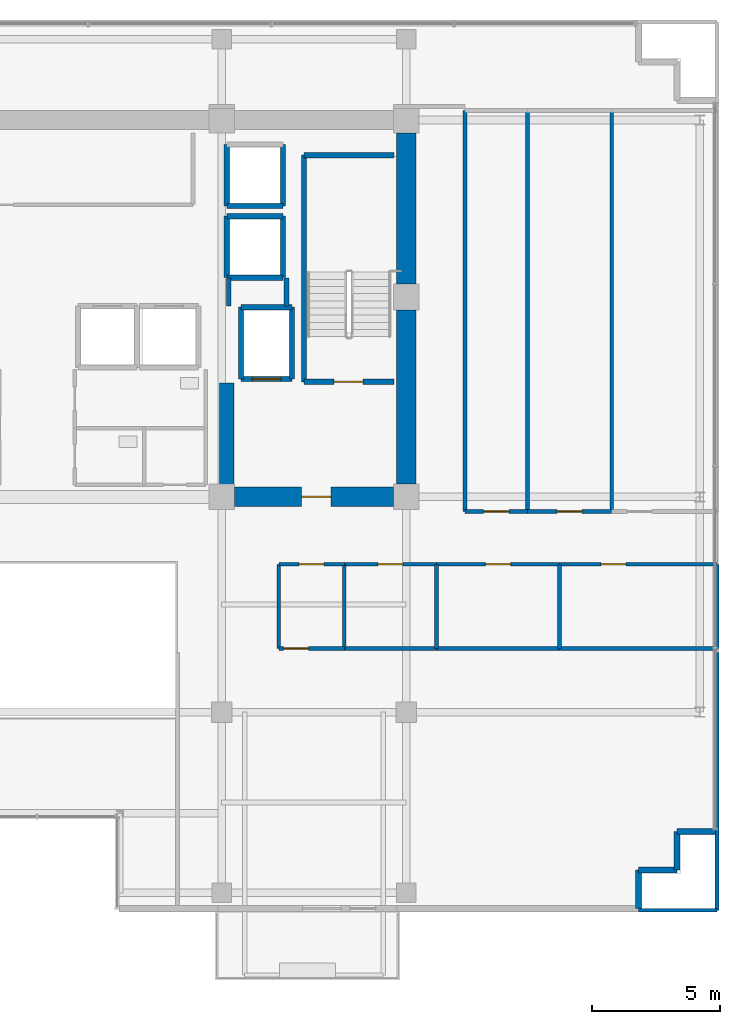
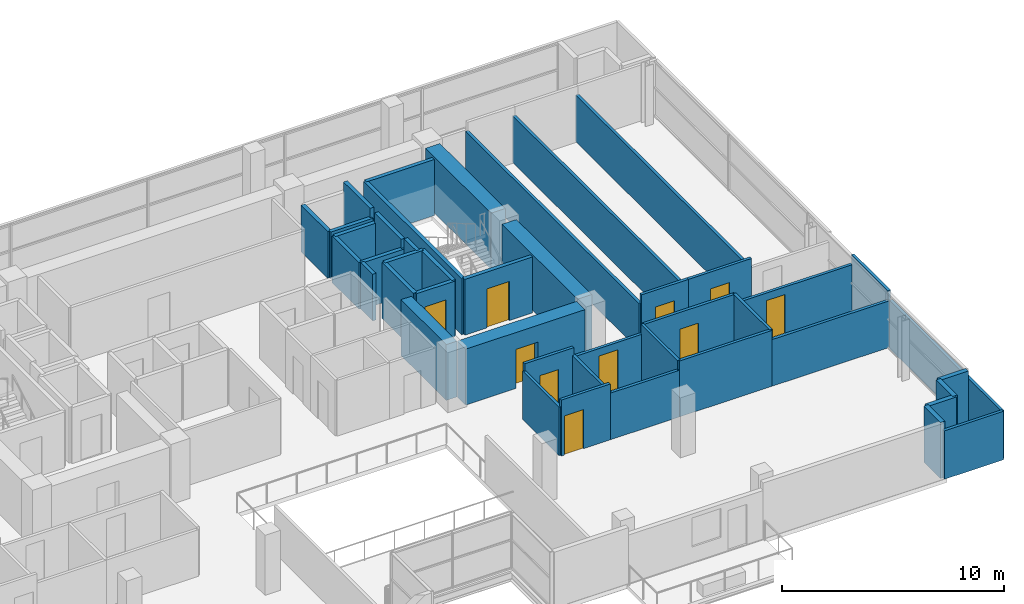
# One storey, part 17 of 21: 44 walls, 10 doors, 10 openings.
"""IFC4 building model written with IfcOpenShell, lengths in metres."""

from ifc_helpers import new_model, si_unit, direction, frame, frame_2d, origin, place, context, subcontext, project, spatial, rectangle, extrude, source, transform, mapped, material, layer, layer_set, type_object, element, fill, save


model = new_model("IFC4")

# Units and contexts
model_context = context("Model", 3, precision=1e-05, world=origin(), true_north=direction((0.0, 1.0)))
body_context = subcontext(model_context, "Body", "Model", "MODEL_VIEW")
ifc_project = project(units=[si_unit("LENGTHUNIT", "METRE"), si_unit("AREAUNIT", "SQUARE_METRE"), si_unit("VOLUMEUNIT", "CUBIC_METRE"), si_unit("PLANEANGLEUNIT", "RADIAN"), si_unit("MASSUNIT", "GRAM", prefix="KILO")], contexts=[model_context])

# Site, building, storey
site_placement = place(None, origin())
site = spatial("IfcSite", under=ifc_project, at=site_placement, CompositionType="ELEMENT")
building_placement = place(site_placement, origin())
building = spatial("IfcBuilding", under=site, at=building_placement, Name="Zarnakvel Exchange Tower", CompositionType="ELEMENT")
storey_placement = place(building_placement, frame((0.0, 0.0, 185.800048828125)))
storey = spatial("IfcBuildingStorey", under=building, at=storey_placement, Name="L52", CompositionType="ELEMENT", Elevation=185.800048828125)

# Walls
ifc_material_1 = material(Name="Concrete C60/75", Category="concrete")
ifc_layer_1 = layer(ifc_material_1, 0.75)
ifc_layer_set_1 = layer_set([ifc_layer_1], Name="Concrete C60/75")
wall_type_1 = type_object("IfcWallType", Name="CW-C3", PredefinedType="SHEAR", material=ifc_layer_set_1)
wall_1_placement = place(storey_placement, frame((14.39990234375, -0.699951171875, 0.0), z_axis=(0.0, 0.0, 1.0), x_axis=(0.0, 1.0, 0.0)))
element("IfcWall", 1, at=wall_1_placement, inside=storey, type_object=wall_type_1, Name="L52 Rear Core Shear Wall E1 (CW-C3)", PredefinedType="SHEAR", context=body_context, shape_type="SweptSolid", body=[
    extrude(rectangle(XDim=6.800048828125, YDim=0.75, at=frame_2d((3.39990234375, 0.0))), origin(), (0.0, 0.0, 1.0), 3.074951171875),
])
wall_2_placement = place(storey_placement, frame((14.39990234375, 7.10009765625, 0.0), z_axis=(0.0, 0.0, 1.0), x_axis=(0.0, 1.0, 0.0)))
element("IfcWall", 2, at=wall_2_placement, inside=storey, type_object=wall_type_1, Name="L52 Rear Core Shear Wall E2 (CW-C3)", PredefinedType="SHEAR", context=body_context, shape_type="SweptSolid", body=[
    extrude(rectangle(XDim=5.89990234375, YDim=0.75, at=frame_2d((2.949951171875, 0.0))), origin(), (0.0, 0.0, 1.0), 3.074951171875),
])

# Wall, opening, door
wall_3_placement = place(storey_placement, frame((13.89990234375, -1.199951171875, 0.0), z_axis=(0.0, 0.0, 1.0), x_axis=(-1.0, 0.0, 0.0)))
wall_3 = element("IfcWall", 3, at=wall_3_placement, inside=storey, type_object=wall_type_1, Name="L52 Rear Core Shear Wall SE (CW-C3)", PredefinedType="SHEAR", context=body_context, shape_type="SweptSolid", body=[
    extrude(rectangle(XDim=6.199951171875, YDim=0.75, at=frame_2d((3.10009765625, 0.0))), origin(), (0.0, 0.0, 1.0), 3.074951171875),
])
opening_1_placement = place(wall_3_placement, frame((2.425048828125, 0.0, 0.0)))
opening_1 = element("IfcOpeningElement", 4, at=opening_1_placement, cuts=wall_3, Name="Opening D-L52-04", PredefinedType="OPENING", context=body_context, shape_type="SweptSolid", body=[
    extrude(rectangle(XDim=1.14990234375, YDim=2.14990234375, at=frame_2d((0.574951171875, 1.074951171875))), frame((0.0, 0.385009765625, 0.0), z_axis=(0.0, -1.0, 0.0), x_axis=(1.0, 0.0, 0.0)), (0.0, 0.0, 1.0), 0.77001953125),
])
ifc_material_2 = material(Name="Painted Galvanised Steel S355", Category="steel")
door_type_1 = type_object("IfcDoorType", Name="DT-04", OperationType="NOTDEFINED", PredefinedType="DOOR", material=ifc_material_2)
shared_shape_1 = source(origin(), body_context, "Body", "SweptSolid", [
    extrude(rectangle(XDim=1.14990234375, YDim=2.14990234375, at=frame_2d((0.574951171875, 1.074951171875))), frame((0.0, 0.02490234375, 0.0), z_axis=(0.0, -1.0, 0.0), x_axis=(1.0, 0.0, 0.0)), (0.0, 0.0, 1.0), 0.050048828125),
])
door_1_placement = place(opening_1_placement, origin())
door_1 = element("IfcDoor", 5, at=door_1_placement, inside=storey, type_object=door_type_1, Name="L52 Firefighting Lobby East Door D-L52-04", OperationType="SINGLE_SWING_LEFT", OverallHeight=2.14990234375, OverallWidth=1.14990234375, PredefinedType="DOOR", context=body_context, shape_type="MappedRepresentation", body=[
    mapped(shared_shape_1, transform((0.0, 0.0, 0.0), x_axis=(1.0, 0.0, 0.0), y_axis=(0.0, 1.0, 0.0), z_axis=(0.0, 0.0, 1.0), scale=1.0)),
])
fill(opening_1, door_1)

# Walls
ifc_layer_2 = layer(ifc_material_1, 0.550048828125)
ifc_layer_set_2 = layer_set([ifc_layer_2], Name="Concrete C60/75")
wall_type_2 = type_object("IfcWallType", Name="CW-C4", PredefinedType="SHEAR", material=ifc_layer_set_2)
wall_4_placement = place(storey_placement, frame((7.39990234375, -0.824951171875, 0.0), z_axis=(0.0, 0.0, 1.0), x_axis=(0.0, 1.0, 0.0)))
element("IfcWall", 6, at=wall_4_placement, inside=storey, type_object=wall_type_2, Name="L52 Rear Core Shear Wall IE (CW-C4)", PredefinedType="SHEAR", context=body_context, shape_type="SweptSolid", body=[
    extrude(rectangle(XDim=4.074951171875, YDim=0.550048828125, at=frame_2d((2.03759765625, 0.0))), origin(), (0.0, 0.0, 1.0), 3.074951171875),
])
ifc_material_3 = material(Name="Precast concrete C40/50", Category="concrete")
ifc_layer_3 = layer(ifc_material_3, 0.239990234375)
ifc_layer_set_3 = layer_set([ifc_layer_3], Name="Precast concrete C40/50")
wall_type_3 = type_object("IfcWallType", Name="EW-02", PredefinedType="SOLIDWALL", material=ifc_layer_set_3)
for number, where, z_axis, x_axis, name in (
    (7, (24.9599609375, -14.260009765625, 0.0), (0.0, 0.0, 1.0), (1.0, 0.0, 0.0), "L52 Exterior Precast Spandrel Wall EWC-L52-11 (EW-02)"),
    (8, (24.9599609375, -15.760009765625, 0.0), (0.0, 0.0, 1.0), (0.0, 1.0, 0.0), "L52 Exterior Precast Spandrel Wall EWC-L52-12 (EW-02)"),
    (9, (23.4599609375, -15.760009765625, 0.0), (0.0, 0.0, 1.0), (1.0, 0.0, 0.0), "L52 Exterior Precast Spandrel Wall EWC-L52-13 (EW-02)"),
    (10, (23.4599609375, -17.260009765625, 0.0), (0.0, 0.0, 1.0), (0.0, 1.0, 0.0), "L52 Exterior Precast Spandrel Wall EWC-L52-14 (EW-02)"),
):
    element("IfcWall", number, at=place(storey_placement, frame(where, z_axis=z_axis, x_axis=x_axis)), inside=storey, type_object=wall_type_3, Name=name, PredefinedType="SOLIDWALL", context=body_context, shape_type="SweptSolid", body=[
        extrude(rectangle(XDim=1.5, YDim=0.239990234375, at=frame_2d((0.75, 0.0))), origin(), (0.0, 0.0, 1.0), 3.074951171875),
    ])

# Wall, opening, door
ifc_material_4 = material(Name="Fire-Rated Gypsum Stud Partition", Category="gypsum")
ifc_layer_4 = layer(ifc_material_4, 0.14990234375)
ifc_layer_set_4 = layer_set([ifc_layer_4], Name="Fire-Rated Gypsum Stud Partition")
wall_type_4 = type_object("IfcWallType", Name="PT-01", PredefinedType="PARTITIONING", material=ifc_layer_set_4)
wall_5_placement = place(storey_placement, frame((11.984130859375, -7.1201171875, 0.0), z_axis=(0.0, 0.0, 1.0), x_axis=(-1.0, 0.0, 0.0)))
wall_5 = element("IfcWall", 11, at=wall_5_placement, inside=storey, type_object=wall_type_4, Name="L52 Partition Wall PWALL-L52-038 (PT-01)", PredefinedType="PARTITIONING", context=body_context, shape_type="SweptSolid", body=[
    extrude(rectangle(XDim=2.55419921875, YDim=0.14990234375, at=frame_2d((1.277099609375, 0.0))), origin(), (0.0, 0.0, 1.0), 3.074951171875),
])
opening_2_placement = place(wall_5_placement, frame((1.394287109375, 0.0, 0.0)))
opening_2 = element("IfcOpeningElement", 12, at=opening_2_placement, cuts=wall_5, Name="Opening D-L52-18", PredefinedType="OPENING", context=body_context, shape_type="SweptSolid", body=[
    extrude(rectangle(XDim=0.97998046875, YDim=2.14990234375, at=frame_2d((0.489990234375, 1.074951171875))), frame((0.0, 0.0849609375, 0.0), z_axis=(0.0, -1.0, 0.0), x_axis=(1.0, 0.0, 0.0)), (0.0, 0.0, 1.0), 0.169921875),
])
ifc_material_5 = material(Name="Timber Acoustic Veneer", Category="wood")
door_type_2 = type_object("IfcDoorType", Name="DT-05", OperationType="NOTDEFINED", PredefinedType="DOOR", material=ifc_material_5)
shared_shape_2 = source(origin(), body_context, "Body", "SweptSolid", [
    extrude(rectangle(XDim=0.97998046875, YDim=2.14990234375, at=frame_2d((0.489990234375, 1.074951171875))), frame((0.0, 0.02490234375, 0.0), z_axis=(0.0, -1.0, 0.0), x_axis=(1.0, 0.0, 0.0)), (0.0, 0.0, 1.0), 0.050048828125),
])
door_2_placement = place(opening_2_placement, origin())
door_2 = element("IfcDoor", 13, at=door_2_placement, inside=storey, type_object=door_type_2, Name="L52 Asset Management Office Door D-L52-18", OperationType="SINGLE_SWING_LEFT", OverallHeight=2.14990234375, OverallWidth=0.97998046875, PredefinedType="DOOR", context=body_context, shape_type="MappedRepresentation", body=[
    mapped(shared_shape_2, transform((0.0, 0.0, 0.0), x_axis=(1.0, 0.0, 0.0), y_axis=(0.0, 1.0, 0.0), z_axis=(0.0, 0.0, 1.0), scale=1.0)),
])
fill(opening_2, door_2)

wall_6_placement = place(storey_placement, frame((9.429931640625, -3.830078125, 0.0), z_axis=(0.0, 0.0, 1.0), x_axis=(1.0, 0.0, 0.0)))
wall_6 = element("IfcWall", 14, at=wall_6_placement, inside=storey, type_object=wall_type_4, Name="L52 Partition Wall PWALL-L52-039 (PT-01)", PredefinedType="PARTITIONING", context=body_context, shape_type="SweptSolid", body=[
    extrude(rectangle(XDim=2.55419921875, YDim=0.14990234375, at=frame_2d((1.277099609375, 0.0))), origin(), (0.0, 0.0, 1.0), 3.074951171875),
])
opening_3_placement = place(wall_6_placement, frame((0.787109375, 0.0, 0.0)))
opening_3 = element("IfcOpeningElement", 15, at=opening_3_placement, cuts=wall_6, Name="Opening D-L52-14", PredefinedType="OPENING", context=body_context, shape_type="SweptSolid", body=[
    extrude(rectangle(XDim=0.97998046875, YDim=2.14990234375, at=frame_2d((0.489990234375, 1.074951171875))), frame((0.0, 0.0849609375, 0.0), z_axis=(0.0, -1.0, 0.0), x_axis=(1.0, 0.0, 0.0)), (0.0, 0.0, 1.0), 0.169921875),
])
door_3_placement = place(opening_3_placement, origin())
door_3 = element("IfcDoor", 16, at=door_3_placement, inside=storey, type_object=door_type_2, Name="L52 Meeting Room Door D-L52-14", OperationType="SINGLE_SWING_LEFT", OverallHeight=2.14990234375, OverallWidth=0.97998046875, PredefinedType="DOOR", context=body_context, shape_type="MappedRepresentation", body=[
    mapped(shared_shape_2, transform((0.0, 0.0, 0.0), x_axis=(1.0, 0.0, 0.0), y_axis=(0.0, 1.0, 0.0), z_axis=(0.0, 0.0, 1.0), scale=1.0)),
])
fill(opening_3, door_3)

# Walls
for number, where, z_axis, x_axis, name in (
    (17, (9.429931640625, -7.1201171875, 0.0), (0.0, 0.0, 1.0), (0.0, 1.0, 0.0), "L52 Partition Wall PWALL-L52-040 (PT-01)"),
    (18, (11.984130859375, -3.830078125, 0.0), (0.0, 0.0, 1.0), (0.0, -1.0, 0.0), "L52 Partition Wall PWALL-L52-041 (PT-01)"),
):
    element("IfcWall", number, at=place(storey_placement, frame(where, z_axis=z_axis, x_axis=x_axis)), inside=storey, type_object=wall_type_4, Name=name, PredefinedType="PARTITIONING", context=body_context, shape_type="SweptSolid", body=[
        extrude(rectangle(XDim=3.2900390625, YDim=0.14990234375, at=frame_2d((1.64501953125, 0.0))), origin(), (0.0, 0.0, 1.0), 2.6650390625),
    ])
wall_7_placement = place(storey_placement, frame((15.585693359375, -7.1201171875, 0.0), z_axis=(0.0, 0.0, 1.0), x_axis=(-1.0, 0.0, 0.0)))
element("IfcWall", 19, at=wall_7_placement, inside=storey, type_object=wall_type_4, Name="L52 Partition Wall PWALL-L52-042 (PT-01)", PredefinedType="PARTITIONING", context=body_context, shape_type="SweptSolid", body=[
    extrude(rectangle(XDim=3.6015625, YDim=0.14990234375, at=frame_2d((1.80078125, 0.0))), origin(), (0.0, 0.0, 1.0), 2.56494140625),
])

# Wall, opening, door
wall_8_placement = place(storey_placement, frame((11.984130859375, -3.830078125, 0.0), z_axis=(0.0, 0.0, 1.0), x_axis=(1.0, 0.0, 0.0)))
wall_8 = element("IfcWall", 20, at=wall_8_placement, inside=storey, type_object=wall_type_4, Name="L52 Partition Wall PWALL-L52-043 (PT-01)", PredefinedType="PARTITIONING", context=body_context, shape_type="SweptSolid", body=[
    extrude(rectangle(XDim=3.6015625, YDim=0.14990234375, at=frame_2d((1.80078125, 0.0))), origin(), (0.0, 0.0, 1.0), 2.56494140625),
])
opening_4_placement = place(wall_8_placement, frame((1.310791015625, 0.0, 0.0)))
opening_4 = element("IfcOpeningElement", 21, at=opening_4_placement, cuts=wall_8, Name="Opening D-L52-15", PredefinedType="OPENING", context=body_context, shape_type="SweptSolid", body=[
    extrude(rectangle(XDim=0.97998046875, YDim=2.14990234375, at=frame_2d((0.489990234375, 1.074951171875))), frame((0.0, 0.0849609375, 0.0), z_axis=(0.0, -1.0, 0.0), x_axis=(1.0, 0.0, 0.0)), (0.0, 0.0, 1.0), 0.169921875),
])
door_4_placement = place(opening_4_placement, origin())
door_4 = element("IfcDoor", 22, at=door_4_placement, inside=storey, type_object=door_type_2, Name="L52 Executive Office Door D-L52-15", OperationType="SINGLE_SWING_RIGHT", OverallHeight=2.14990234375, OverallWidth=0.97998046875, PredefinedType="DOOR", context=body_context, shape_type="MappedRepresentation", body=[
    mapped(shared_shape_2, transform((0.0, 0.0, 0.0), x_axis=(1.0, 0.0, 0.0), y_axis=(0.0, 1.0, 0.0), z_axis=(0.0, 0.0, 1.0), scale=1.0)),
])
fill(opening_4, door_4)

# Walls
wall_9_placement = place(storey_placement, frame((15.585693359375, -3.830078125, 0.0), z_axis=(0.0, 0.0, 1.0), x_axis=(0.0, -1.0, 0.0)))
element("IfcWall", 23, at=wall_9_placement, inside=storey, type_object=wall_type_4, Name="L52 Partition Wall PWALL-L52-044 (PT-01)", PredefinedType="PARTITIONING", context=body_context, shape_type="SweptSolid", body=[
    extrude(rectangle(XDim=3.2900390625, YDim=0.14990234375, at=frame_2d((1.64501953125, 0.0))), origin(), (0.0, 0.0, 1.0), 3.074951171875),
])
wall_10_placement = place(storey_placement, frame((20.384521484375, -7.1201171875, 0.0), z_axis=(0.0, 0.0, 1.0), x_axis=(-1.0, 0.0, 0.0)))
element("IfcWall", 24, at=wall_10_placement, inside=storey, type_object=wall_type_4, Name="L52 Partition Wall PWALL-L52-045 (PT-01)", PredefinedType="PARTITIONING", context=body_context, shape_type="SweptSolid", body=[
    extrude(rectangle(XDim=4.798828125, YDim=0.14990234375, at=frame_2d((2.3994140625, 0.0))), origin(), (0.0, 0.0, 1.0), 3.074951171875),
])

# Wall, opening, door
wall_11_placement = place(storey_placement, frame((15.585693359375, -3.830078125, 0.0), z_axis=(0.0, 0.0, 1.0), x_axis=(1.0, 0.0, 0.0)))
wall_11 = element("IfcWall", 25, at=wall_11_placement, inside=storey, type_object=wall_type_4, Name="L52 Partition Wall PWALL-L52-046 (PT-01)", PredefinedType="PARTITIONING", context=body_context, shape_type="SweptSolid", body=[
    extrude(rectangle(XDim=4.798828125, YDim=0.14990234375, at=frame_2d((2.3994140625, 0.0))), origin(), (0.0, 0.0, 1.0), 3.074951171875),
])
opening_5_placement = place(wall_11_placement, frame((1.9091796875, 0.0, 0.0)))
opening_5 = element("IfcOpeningElement", 26, at=opening_5_placement, cuts=wall_11, Name="Opening D-L52-16", PredefinedType="OPENING", context=body_context, shape_type="SweptSolid", body=[
    extrude(rectangle(XDim=0.97998046875, YDim=2.14990234375, at=frame_2d((0.489990234375, 1.074951171875))), frame((0.0, 0.0849609375, 0.0), z_axis=(0.0, -1.0, 0.0), x_axis=(1.0, 0.0, 0.0)), (0.0, 0.0, 1.0), 0.169921875),
])
door_5_placement = place(opening_5_placement, origin())
door_5 = element("IfcDoor", 27, at=door_5_placement, inside=storey, type_object=door_type_2, Name="L52 Staff Pantry Door D-L52-16", OperationType="SINGLE_SWING_LEFT", OverallHeight=2.14990234375, OverallWidth=0.97998046875, PredefinedType="DOOR", context=body_context, shape_type="MappedRepresentation", body=[
    mapped(shared_shape_2, transform((0.0, 0.0, 0.0), x_axis=(1.0, 0.0, 0.0), y_axis=(0.0, 1.0, 0.0), z_axis=(0.0, 0.0, 1.0), scale=1.0)),
])
fill(opening_5, door_5)

# Walls
wall_12_placement = place(storey_placement, frame((20.384521484375, -3.830078125, 0.0), z_axis=(0.0, 0.0, 1.0), x_axis=(0.0, -1.0, 0.0)))
element("IfcWall", 28, at=wall_12_placement, inside=storey, type_object=wall_type_4, Name="L52 Partition Wall PWALL-L52-047 (PT-01)", PredefinedType="PARTITIONING", context=body_context, shape_type="SweptSolid", body=[
    extrude(rectangle(XDim=3.2900390625, YDim=0.14990234375, at=frame_2d((1.64501953125, 0.0))), origin(), (0.0, 0.0, 1.0), 3.074951171875),
])
wall_13_placement = place(storey_placement, frame((26.530029296875, -7.1201171875, 0.0), z_axis=(0.0, 0.0, 1.0), x_axis=(-1.0, 0.0, 0.0)))
element("IfcWall", 29, at=wall_13_placement, inside=storey, type_object=wall_type_4, Name="L52 Partition Wall PWALL-L52-048 (PT-01)", PredefinedType="PARTITIONING", context=body_context, shape_type="SweptSolid", body=[
    extrude(rectangle(XDim=6.1455078125, YDim=0.14990234375, at=frame_2d((3.07275390625, 0.0))), origin(), (0.0, 0.0, 1.0), 2.56494140625),
])

# Wall, opening, door
wall_14_placement = place(storey_placement, frame((20.384521484375, -3.830078125, 0.0), z_axis=(0.0, 0.0, 1.0), x_axis=(1.0, 0.0, 0.0)))
wall_14 = element("IfcWall", 30, at=wall_14_placement, inside=storey, type_object=wall_type_4, Name="L52 Partition Wall PWALL-L52-049 (PT-01)", PredefinedType="PARTITIONING", context=body_context, shape_type="SweptSolid", body=[
    extrude(rectangle(XDim=6.1455078125, YDim=0.14990234375, at=frame_2d((3.07275390625, 0.0))), origin(), (0.0, 0.0, 1.0), 2.56494140625),
])
opening_6_placement = place(wall_14_placement, frame((1.607421875, 0.0, 0.0)))
opening_6 = element("IfcOpeningElement", 31, at=opening_6_placement, cuts=wall_14, Name="Opening D-L52-17", PredefinedType="OPENING", context=body_context, shape_type="SweptSolid", body=[
    extrude(rectangle(XDim=0.97998046875, YDim=2.14990234375, at=frame_2d((0.489990234375, 1.074951171875))), frame((0.0, 0.0849609375, 0.0), z_axis=(0.0, -1.0, 0.0), x_axis=(1.0, 0.0, 0.0)), (0.0, 0.0, 1.0), 0.169921875),
])
door_6_placement = place(opening_6_placement, origin())
door_6 = element("IfcDoor", 32, at=door_6_placement, inside=storey, type_object=door_type_2, Name="L52 Risk Analytics Suite Door D-L52-17", OperationType="SINGLE_SWING_RIGHT", OverallHeight=2.14990234375, OverallWidth=0.97998046875, PredefinedType="DOOR", context=body_context, shape_type="MappedRepresentation", body=[
    mapped(shared_shape_2, transform((0.0, 0.0, 0.0), x_axis=(1.0, 0.0, 0.0), y_axis=(0.0, 1.0, 0.0), z_axis=(0.0, 0.0, 1.0), scale=1.0)),
])
fill(opening_6, door_6)

# Walls
wall_15_placement = place(storey_placement, frame((26.530029296875, -3.830078125, 0.0), z_axis=(0.0, 0.0, 1.0), x_axis=(0.0, -1.0, 0.0)))
element("IfcWall", 33, at=wall_15_placement, inside=storey, type_object=wall_type_4, Name="L52 Partition Wall PWALL-L52-050 (PT-01)", PredefinedType="PARTITIONING", context=body_context, shape_type="SweptSolid", body=[
    extrude(rectangle(XDim=3.2900390625, YDim=0.14990234375, at=frame_2d((1.64501953125, 0.0))), origin(), (0.0, 0.0, 1.0), 3.074951171875),
])
wall_16_placement = place(storey_placement, frame((26.530029296875, -17.330078125, 0.0), z_axis=(0.0, 0.0, 1.0), x_axis=(-1.0, 0.0, 0.0)))
element("IfcWall", 34, at=wall_16_placement, inside=storey, type_object=wall_type_4, Name="L52 Partition Wall PWALL-L52-051 (PT-01)", PredefinedType="PARTITIONING", context=body_context, shape_type="SweptSolid", body=[
    extrude(rectangle(XDim=3.070068359375, YDim=0.14990234375, at=frame_2d((1.53515625, 0.0))), origin(), (0.0, 0.0, 1.0), 2.6650390625),
])
wall_17_placement = place(storey_placement, frame((26.530029296875, -7.280029296875, 0.0), z_axis=(0.0, 0.0, 1.0), x_axis=(0.0, -1.0, 0.0)))
element("IfcWall", 35, at=wall_17_placement, inside=storey, type_object=wall_type_4, Name="L52 Partition Wall PWALL-L52-053 (PT-01)", PredefinedType="PARTITIONING", context=body_context, shape_type="SweptSolid", body=[
    extrude(rectangle(XDim=10.050048828125, YDim=0.14990234375, at=frame_2d((5.02490234375, 0.0))), origin(), (0.0, 0.0, 1.0), 2.6650390625),
])

# Wall, opening, door
wall_18_placement = place(storey_placement, frame((19.137939453125, -1.77001953125, 0.0), z_axis=(0.0, 0.0, 1.0), x_axis=(-1.0, 0.0, 0.0)))
wall_18 = element("IfcWall", 36, at=wall_18_placement, inside=storey, type_object=wall_type_4, Name="L52 Partition Wall PWALL-L52-058 (PT-01)", PredefinedType="PARTITIONING", context=body_context, shape_type="SweptSolid", body=[
    extrude(rectangle(XDim=2.447998046875, YDim=0.14990234375, at=frame_2d((1.22412109375, 0.0))), origin(), (0.0, 0.0, 1.0), 3.074951171875),
])
opening_7_placement = place(wall_18_placement, frame((0.73388671875, 0.0, 0.0)))
opening_7 = element("IfcOpeningElement", 37, at=opening_7_placement, cuts=wall_18, Name="Opening D-L52-20", PredefinedType="OPENING", context=body_context, shape_type="SweptSolid", body=[
    extrude(rectangle(XDim=0.97998046875, YDim=2.14990234375, at=frame_2d((0.489990234375, 1.074951171875))), frame((0.0, 0.0849609375, 0.0), z_axis=(0.0, -1.0, 0.0), x_axis=(1.0, 0.0, 0.0)), (0.0, 0.0, 1.0), 0.169921875),
])
door_7_placement = place(opening_7_placement, origin())
door_7 = element("IfcDoor", 38, at=door_7_placement, inside=storey, type_object=door_type_2, Name="L52 Risk Analytics Suite Door D-L52-20", OperationType="SINGLE_SWING_LEFT", OverallHeight=2.14990234375, OverallWidth=0.97998046875, PredefinedType="DOOR", context=body_context, shape_type="MappedRepresentation", body=[
    mapped(shared_shape_2, transform((0.0, 0.0, 0.0), x_axis=(1.0, 0.0, 0.0), y_axis=(0.0, 1.0, 0.0), z_axis=(0.0, 0.0, 1.0), scale=1.0)),
])
fill(opening_7, door_7)

# Walls
for number, where, z_axis, x_axis, name in (
    (39, (16.68994140625, -1.77001953125, 0.0), (0.0, 0.0, 1.0), (0.0, 1.0, 0.0), "L52 Partition Wall PWALL-L52-060 (PT-01)"),
    (40, (19.137939453125, 13.8798828125, 0.0), (0.0, 0.0, 1.0), (0.0, -1.0, 0.0), "L52 Partition Wall PWALL-L52-061 (PT-01)"),
):
    element("IfcWall", number, at=place(storey_placement, frame(where, z_axis=z_axis, x_axis=x_axis)), inside=storey, type_object=wall_type_4, Name=name, PredefinedType="PARTITIONING", context=body_context, shape_type="SweptSolid", body=[
        extrude(rectangle(XDim=15.64990234375, YDim=0.14990234375, at=frame_2d((7.824951171875, 0.0))), origin(), (0.0, 0.0, 1.0), 2.56494140625),
    ])

# Wall, opening, door
wall_19_placement = place(storey_placement, frame((22.41796875, -1.77001953125, 0.0), z_axis=(0.0, 0.0, 1.0), x_axis=(-1.0, 0.0, 0.0)))
wall_19 = element("IfcWall", 41, at=wall_19_placement, inside=storey, type_object=wall_type_4, Name="L52 Partition Wall PWALL-L52-062 (PT-01)", PredefinedType="PARTITIONING", context=body_context, shape_type="SweptSolid", body=[
    extrude(rectangle(XDim=3.280029296875, YDim=0.14990234375, at=frame_2d((1.64013671875, 0.0))), origin(), (0.0, 0.0, 1.0), 3.074951171875),
])
opening_8_placement = place(wall_19_placement, frame((1.14990234375, 0.0, 0.0)))
opening_8 = element("IfcOpeningElement", 42, at=opening_8_placement, cuts=wall_19, Name="Opening D-L52-21", PredefinedType="OPENING", context=body_context, shape_type="SweptSolid", body=[
    extrude(rectangle(XDim=0.97998046875, YDim=2.14990234375, at=frame_2d((0.489990234375, 1.074951171875))), frame((0.0, 0.0849609375, 0.0), z_axis=(0.0, -1.0, 0.0), x_axis=(1.0, 0.0, 0.0)), (0.0, 0.0, 1.0), 0.169921875),
])
door_8_placement = place(opening_8_placement, origin())
door_8 = element("IfcDoor", 43, at=door_8_placement, inside=storey, type_object=door_type_2, Name="L52 Members Lounge Door D-L52-21", OperationType="SINGLE_SWING_RIGHT", OverallHeight=2.14990234375, OverallWidth=0.97998046875, PredefinedType="DOOR", context=body_context, shape_type="MappedRepresentation", body=[
    mapped(shared_shape_2, transform((0.0, 0.0, 0.0), x_axis=(1.0, 0.0, 0.0), y_axis=(0.0, 1.0, 0.0), z_axis=(0.0, 0.0, 1.0), scale=1.0)),
])
fill(opening_8, door_8)

# Walls
wall_20_placement = place(storey_placement, frame((22.41796875, 13.8798828125, 0.0), z_axis=(0.0, 0.0, 1.0), x_axis=(0.0, -1.0, 0.0)))
element("IfcWall", 44, at=wall_20_placement, inside=storey, type_object=wall_type_4, Name="L52 Partition Wall PWALL-L52-064 (PT-01)", PredefinedType="PARTITIONING", context=body_context, shape_type="SweptSolid", body=[
    extrude(rectangle(XDim=15.64990234375, YDim=0.14990234375, at=frame_2d((7.824951171875, 0.0))), origin(), (0.0, 0.0, 1.0), 2.56494140625),
])
ifc_layer_5 = layer(ifc_material_4, 0.179931640625)
ifc_layer_set_5 = layer_set([ifc_layer_5], Name="Fire-Rated Gypsum Stud Partition")
wall_type_5 = type_object("IfcWallType", Name="PT-02", PredefinedType="PARTITIONING", material=ifc_layer_set_5)
wall_21_placement = place(storey_placement, frame((7.469970703125, 6.239990234375, 0.0), z_axis=(0.0, 0.0, 1.0), x_axis=(0.0, 1.0, 0.0)))
element("IfcWall", 45, at=wall_21_placement, inside=storey, type_object=wall_type_5, Name="L52 Partition Wall PWALL-L52-009 (PT-02)", PredefinedType="PARTITIONING", context=body_context, shape_type="SweptSolid", body=[
    extrude(rectangle(XDim=1.090087890625, YDim=0.179931640625, at=frame_2d((0.544921875, 0.0))), origin(), (0.0, 0.0, 1.0), 2.56494140625),
])
wall_22_placement = place(storey_placement, frame((9.72998046875, 7.330078125, 0.0), z_axis=(0.0, 0.0, 1.0), x_axis=(0.0, -1.0, 0.0)))
element("IfcWall", 46, at=wall_22_placement, inside=storey, type_object=wall_type_5, Name="L52 Partition Wall PWALL-L52-010 (PT-02)", PredefinedType="PARTITIONING", context=body_context, shape_type="SweptSolid", body=[
    extrude(rectangle(XDim=1.090087890625, YDim=0.179931640625, at=frame_2d((0.544921875, 0.0))), origin(), (0.0, 0.0, 1.0), 3.074951171875),
])

# Wall, opening, door
ifc_material_6 = material(Name="Concrete C40/50", Category="concrete")
ifc_layer_6 = layer(ifc_material_6, 0.199951171875)
ifc_layer_set_6 = layer_set([ifc_layer_6], Name="Concrete C40/50")
wall_type_6 = type_object("IfcWallType", Name="SW-01", PredefinedType="SOLIDWALL", material=ifc_layer_set_6)
wall_23_placement = place(storey_placement, frame((9.949951171875, 3.39990234375, 0.0), z_axis=(0.0, 0.0, 1.0), x_axis=(-1.0, 0.0, 0.0)))
wall_23 = element("IfcWall", 47, at=wall_23_placement, inside=storey, type_object=wall_type_6, Name="L52 FL-02 Hoistway Wall South", PredefinedType="SOLIDWALL", context=body_context, shape_type="SweptSolid", body=[
    extrude(rectangle(XDim=2.0, YDim=0.199951171875, at=frame_2d((1.0, 0.0))), origin(), (0.0, 0.0, 1.0), 3.074951171875),
])
opening_9_placement = place(wall_23_placement, frame((0.449951171875, 0.0, 0.0)))
opening_9 = element("IfcOpeningElement", 48, at=opening_9_placement, cuts=wall_23, Name="Opening LD-FL-02-L52", PredefinedType="OPENING", context=body_context, shape_type="SweptSolid", body=[
    extrude(rectangle(XDim=1.10009765625, YDim=2.199951171875, at=frame_2d((0.550048828125, 1.10009765625))), frame((0.0, 0.10986328125, 0.0), z_axis=(0.0, -1.0, 0.0), x_axis=(1.0, 0.0, 0.0)), (0.0, 0.0, 1.0), 0.219970703125),
])
ifc_material_7 = material(Name="Brushed Stainless Steel", Category="steel")
door_type_3 = type_object("IfcDoorType", Name="LDT-01", OperationType="NOTDEFINED", PredefinedType="DOOR", material=ifc_material_7)
shared_shape_3 = source(origin(), body_context, "Body", "SweptSolid", [
    extrude(rectangle(XDim=1.10009765625, YDim=2.199951171875, at=frame_2d((0.550048828125, 1.10009765625))), frame((0.0, 0.02490234375, 0.0), z_axis=(0.0, -1.0, 0.0), x_axis=(1.0, 0.0, 0.0)), (0.0, 0.0, 1.0), 0.050048828125),
])
door_9_placement = place(opening_9_placement, origin())
door_9 = element("IfcDoor", 49, at=door_9_placement, inside=storey, type_object=door_type_3, Name="L52 FL-02 Lift Landing Door LD-FL-02-L52", OperationType="DOUBLE_DOOR_SLIDING", OverallHeight=2.199951171875, OverallWidth=1.10009765625, PredefinedType="DOOR", context=body_context, shape_type="MappedRepresentation", body=[
    mapped(shared_shape_3, transform((0.0, 0.0, 0.0), x_axis=(1.0, 0.0, 0.0), y_axis=(0.0, 1.0, 0.0), z_axis=(0.0, 0.0, 1.0), scale=1.0)),
])
fill(opening_9, door_9)

# Walls
wall_24_placement = place(storey_placement, frame((7.949951171875, 6.199951171875, 0.0), z_axis=(0.0, 0.0, 1.0), x_axis=(1.0, 0.0, 0.0)))
element("IfcWall", 50, at=wall_24_placement, inside=storey, type_object=wall_type_6, Name="L52 FL-02 Hoistway Wall North", PredefinedType="SOLIDWALL", context=body_context, shape_type="SweptSolid", body=[
    extrude(rectangle(XDim=2.0, YDim=0.199951171875, at=frame_2d((1.0, 0.0))), origin(), (0.0, 0.0, 1.0), 3.074951171875),
])
for number, where, z_axis, x_axis, name in (
    (51, (7.949951171875, 3.39990234375, 0.0), (0.0, 0.0, 1.0), (0.0, 1.0, 0.0), "L52 FL-02 Hoistway Wall West"),
    (52, (9.949951171875, 6.199951171875, 0.0), (0.0, 0.0, 1.0), (0.0, -1.0, 0.0), "L52 FL-02 Hoistway Wall East"),
):
    element("IfcWall", number, at=place(storey_placement, frame(where, z_axis=z_axis, x_axis=x_axis)), inside=storey, type_object=wall_type_6, Name=name, PredefinedType="SOLIDWALL", context=body_context, shape_type="SweptSolid", body=[
        extrude(rectangle(XDim=2.800048828125, YDim=0.199951171875, at=frame_2d((1.39990234375, 0.0))), origin(), (0.0, 0.0, 1.0), 3.074951171875),
    ])
for number, where, z_axis, x_axis, name in (
    (53, (9.60009765625, 7.35009765625, 0.0), (0.0, 0.0, 1.0), (-1.0, 0.0, 0.0), "L52 PL-11 Hoistway Wall South"),
    (54, (7.39990234375, 9.75, 0.0), (0.0, 0.0, 1.0), (1.0, 0.0, 0.0), "L52 PL-11 Hoistway Wall North"),
):
    element("IfcWall", number, at=place(storey_placement, frame(where, z_axis=z_axis, x_axis=x_axis)), inside=storey, type_object=wall_type_6, Name=name, PredefinedType="SOLIDWALL", context=body_context, shape_type="SweptSolid", body=[
        extrude(rectangle(XDim=2.2001953125, YDim=0.199951171875, at=frame_2d((1.10009765625, 0.0))), origin(), (0.0, 0.0, 1.0), 2.56494140625),
    ])
wall_25_placement = place(storey_placement, frame((7.39990234375, 7.35009765625, 0.0), z_axis=(0.0, 0.0, 1.0), x_axis=(0.0, 1.0, 0.0)))
element("IfcWall", 55, at=wall_25_placement, inside=storey, type_object=wall_type_6, Name="L52 PL-11 Hoistway Wall West", PredefinedType="SOLIDWALL", context=body_context, shape_type="SweptSolid", body=[
    extrude(rectangle(XDim=2.39990234375, YDim=0.199951171875, at=frame_2d((1.199951171875, 0.0))), origin(), (0.0, 0.0, 1.0), 2.56494140625),
])
wall_26_placement = place(storey_placement, frame((9.60009765625, 9.75, 0.0), z_axis=(0.0, 0.0, 1.0), x_axis=(0.0, -1.0, 0.0)))
element("IfcWall", 56, at=wall_26_placement, inside=storey, type_object=wall_type_6, Name="L52 PL-11 Hoistway Wall East", PredefinedType="SOLIDWALL", context=body_context, shape_type="SweptSolid", body=[
    extrude(rectangle(XDim=2.39990234375, YDim=0.199951171875, at=frame_2d((1.199951171875, 0.0))), origin(), (0.0, 0.0, 1.0), 3.074951171875),
])
wall_27_placement = place(storey_placement, frame((9.60009765625, 10.14990234375, 0.0), z_axis=(0.0, 0.0, 1.0), x_axis=(-1.0, 0.0, 0.0)))
element("IfcWall", 57, at=wall_27_placement, inside=storey, type_object=wall_type_6, Name="L52 PL-12 Hoistway Wall South", PredefinedType="SOLIDWALL", context=body_context, shape_type="SweptSolid", body=[
    extrude(rectangle(XDim=2.2001953125, YDim=0.199951171875, at=frame_2d((1.10009765625, 0.0))), origin(), (0.0, 0.0, 1.0), 2.56494140625),
])
wall_28_placement = place(storey_placement, frame((7.39990234375, 10.14990234375, 0.0), z_axis=(0.0, 0.0, 1.0), x_axis=(0.0, 1.0, 0.0)))
element("IfcWall", 58, at=wall_28_placement, inside=storey, type_object=wall_type_6, Name="L52 PL-12 Hoistway Wall West", PredefinedType="SOLIDWALL", context=body_context, shape_type="SweptSolid", body=[
    extrude(rectangle(XDim=2.400146484375, YDim=0.199951171875, at=frame_2d((1.2001953125, 0.0))), origin(), (0.0, 0.0, 1.0), 2.56494140625),
])
wall_29_placement = place(storey_placement, frame((9.60009765625, 12.550048828125, 0.0), z_axis=(0.0, 0.0, 1.0), x_axis=(0.0, -1.0, 0.0)))
element("IfcWall", 59, at=wall_29_placement, inside=storey, type_object=wall_type_6, Name="L52 PL-12 Hoistway Wall East", PredefinedType="SOLIDWALL", context=body_context, shape_type="SweptSolid", body=[
    extrude(rectangle(XDim=2.400146484375, YDim=0.199951171875, at=frame_2d((1.2001953125, 0.0))), origin(), (0.0, 0.0, 1.0), 3.074951171875),
])

# Wall, opening, door
ifc_layer_7 = layer(ifc_material_6, 0.199951171875)
ifc_layer_set_7 = layer_set([ifc_layer_7], Name="Concrete C40/50")
wall_type_7 = type_object("IfcWallType", Name="SW-02", PredefinedType="SOLIDWALL", material=ifc_layer_set_7)
wall_30_placement = place(storey_placement, frame((13.929931640625, 3.2900390625, 0.0), z_axis=(0.0, 0.0, 1.0), x_axis=(-1.0, 0.0, 0.0)))
wall_30 = element("IfcWall", 60, at=wall_30_placement, inside=storey, type_object=wall_type_7, Name="L52 Stairwell Core Wall PWALL-L52-004 (SW-02)", PredefinedType="SOLIDWALL", context=body_context, shape_type="SweptSolid", body=[
    extrude(rectangle(XDim=3.52001953125, YDim=0.199951171875, at=frame_2d((1.760009765625, 0.0))), origin(), (0.0, 0.0, 1.0), 3.074951171875),
])
opening_10_placement = place(wall_30_placement, frame((1.205078125, 0.0, 0.0)))
opening_10 = element("IfcOpeningElement", 61, at=opening_10_placement, cuts=wall_30, Name="Opening D-L52-02", PredefinedType="OPENING", context=body_context, shape_type="SweptSolid", body=[
    extrude(rectangle(XDim=1.14990234375, YDim=2.14990234375, at=frame_2d((0.574951171875, 1.074951171875))), frame((0.0, 0.10986328125, 0.0), z_axis=(0.0, -1.0, 0.0), x_axis=(1.0, 0.0, 0.0)), (0.0, 0.0, 1.0), 0.219970703125),
])
door_10_placement = place(opening_10_placement, origin())
door_10 = element("IfcDoor", 62, at=door_10_placement, inside=storey, type_object=door_type_1, Name="L52 Stairwell ST-02 Door D-L52-02", OperationType="SINGLE_SWING_LEFT", OverallHeight=2.14990234375, OverallWidth=1.14990234375, PredefinedType="DOOR", context=body_context, shape_type="MappedRepresentation", body=[
    mapped(shared_shape_1, transform((0.0, 0.0, 0.0), x_axis=(1.0, 0.0, 0.0), y_axis=(0.0, 1.0, 0.0), z_axis=(0.0, 0.0, 1.0), scale=1.0)),
])
fill(opening_10, door_10)

# Walls
wall_31_placement = place(storey_placement, frame((10.409912109375, 12.1298828125, 0.0), z_axis=(0.0, 0.0, 1.0), x_axis=(1.0, 0.0, 0.0)))
element("IfcWall", 63, at=wall_31_placement, inside=storey, type_object=wall_type_7, Name="L52 Stairwell Core Wall PWALL-L52-005 (SW-02)", PredefinedType="SOLIDWALL", context=body_context, shape_type="SweptSolid", body=[
    extrude(rectangle(XDim=3.52001953125, YDim=0.199951171875, at=frame_2d((1.760009765625, 0.0))), origin(), (0.0, 0.0, 1.0), 3.074951171875),
])
wall_32_placement = place(storey_placement, frame((10.409912109375, 3.2900390625, 0.0), z_axis=(0.0, 0.0, 1.0), x_axis=(0.0, 1.0, 0.0)))
element("IfcWall", 64, at=wall_32_placement, inside=storey, type_object=wall_type_7, Name="L52 Stairwell Core Wall PWALL-L52-006 (SW-02)", PredefinedType="SOLIDWALL", context=body_context, shape_type="SweptSolid", body=[
    extrude(rectangle(XDim=8.83984375, YDim=0.199951171875, at=frame_2d((4.419921875, 0.0))), origin(), (0.0, 0.0, 1.0), 3.074951171875),
])

save(model, "model.ifc")
